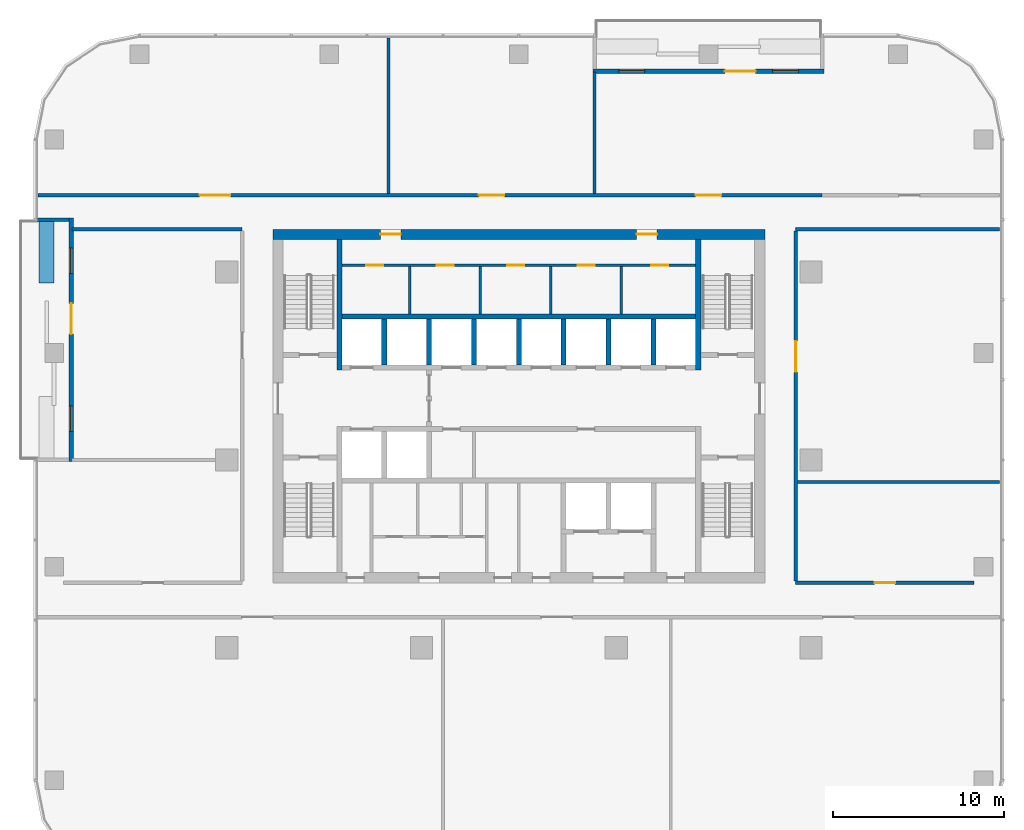
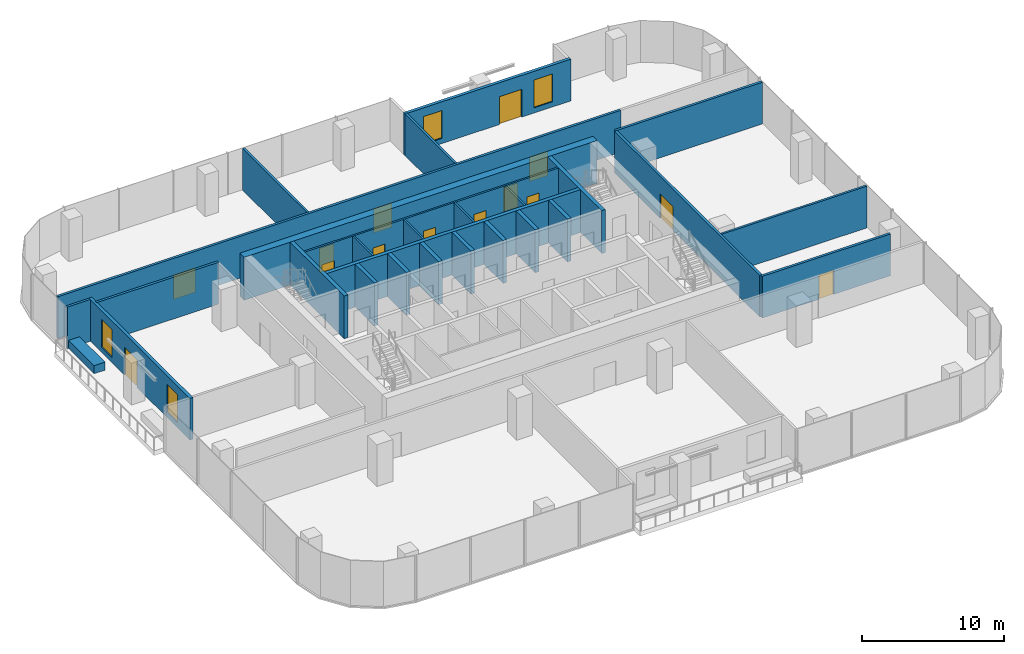
# One storey, part 9 of 14: 28 walls, 14 doors, 4 windows, 18 openings.
"""IFC4 building model written with IfcOpenShell, lengths in metres."""

import ifcopenshell
import ifcopenshell.guid

model = None  # the IFC model being written
_history = None  # IfcOwnerHistory: only IFC2X3 demands one
_inside = {}  # id of a spatial element -> (the spatial element, [elements in it])
_under = {}  # id of a project, library or spatial element -> (it, [spatial elements below it])
_declared = {}  # id of a project -> (the project, [libraries it declares])
_typed = {}  # id of a type object -> (the type object, [elements of that type])
_made_of = {}  # id of a material, layer set ... -> (it, [elements and type objects made of it])


def new_model(schema):
    """Start an empty IFC model of exactly this schema.

    Asked for "IFC4X3", IfcOpenShell would pick the latest addendum, in which some entities
    have other attributes; the version numbers below select the first issue.
    IFC2X3 requires an IfcOwnerHistory on every rooted entity: one is made here for all.
    """
    global model, _history
    if schema == "IFC4X3":
        model = ifcopenshell.file(schema_version=(4, 3, 0, 0))
    else:
        model = ifcopenshell.file(schema=schema)
    _inside.clear()
    _under.clear()
    _declared.clear()
    _typed.clear()
    _made_of.clear()
    _history = None
    if model.schema == "IFC2X3":
        org = make("IfcOrganization", Name="unknown")
        user = make(
            "IfcPersonAndOrganization",
            ThePerson=make("IfcPerson", FamilyName="unknown"),
            TheOrganization=org,
        )
        app = make(
            "IfcApplication",
            ApplicationDeveloper=org,
            Version="unknown",
            ApplicationFullName="unknown",
            ApplicationIdentifier="unknown",
        )
        _history = make(
            "IfcOwnerHistory",
            OwningUser=user,
            OwningApplication=app,
            ChangeAction="ADDED",
            CreationDate=0,
        )
    return model


def make(cls, **values):
    """One entity of the class cls with the attributes given. An attribute that is None is left unset."""
    return model.create_entity(
        cls, **{name: value for name, value in values.items() if value is not None}
    )


def rooted(cls, **values):
    """An entity with a GlobalId (a new one), such as an element, a storey or a relation."""
    return make(cls, GlobalId=ifcopenshell.guid.new(), OwnerHistory=_history, **values)


def si_unit(unit_type, name, prefix=None):
    """IfcSIUnit, for example si_unit("LENGTHUNIT", "METRE", prefix="MILLI")."""
    return make("IfcSIUnit", UnitType=unit_type, Prefix=prefix, Name=name)


def assignment(units):
    """IfcUnitAssignment: the units of a project."""
    return None if units is None else make("IfcUnitAssignment", Units=units)


def point(xyz):
    """IfcCartesianPoint."""
    return None if xyz is None else make("IfcCartesianPoint", Coordinates=xyz)


def direction(xyz):
    """IfcDirection."""
    return None if xyz is None else make("IfcDirection", DirectionRatios=xyz)


def frame(location, z_axis=None, x_axis=None):
    """IfcAxis2Placement3D, a coordinate frame: its origin and axes. An axis left out is left unset."""
    return make(
        "IfcAxis2Placement3D",
        Location=point(location),
        Axis=direction(z_axis),
        RefDirection=direction(x_axis),
    )


def frame_2d(location, x_axis=None):
    """IfcAxis2Placement2D, a coordinate frame in the plane: its origin and x axis."""
    return make(
        "IfcAxis2Placement2D", Location=point(location), RefDirection=direction(x_axis)
    )


def origin():
    """The frame at (0, 0, 0) with its axes left unset."""
    return frame((0.0, 0.0, 0.0))


def place(relative_to, where):
    """IfcLocalPlacement: puts the frame where relative to a parent placement (None: the world)."""
    return make(
        "IfcLocalPlacement", PlacementRelTo=relative_to, RelativePlacement=where
    )


def context(
    kind, dimensions, precision=None, world=None, true_north=None, identifier=None
):
    """IfcGeometricRepresentationContext, for example the 3D "Model" context."""
    return make(
        "IfcGeometricRepresentationContext",
        ContextIdentifier=identifier,
        ContextType=kind,
        CoordinateSpaceDimension=dimensions,
        Precision=precision,
        WorldCoordinateSystem=world,
        TrueNorth=true_north,
    )


def subcontext(parent, identifier, kind, view, scale=None):
    """IfcGeometricRepresentationSubContext, for example "Body" below "Model"."""
    return make(
        "IfcGeometricRepresentationSubContext",
        ContextIdentifier=identifier,
        ContextType=kind,
        ParentContext=parent,
        TargetScale=scale,
        TargetView=view,
    )


def project(units=None, contexts=None):
    """IfcProject with its units and contexts."""
    return rooted(
        "IfcProject",
        Name="project",
        RepresentationContexts=contexts,
        UnitsInContext=assignment(units),
    )


def spatial(cls, under=None, at=None, **own):
    """A site, building, storey or space (cls), placed at a placement, below another one or the project."""
    s = rooted(cls, ObjectPlacement=at, **own)
    if under is not None:
        _under.setdefault(under.id(), (under, []))[1].append(s)
    return s


def profile(cls, at=None, kind="AREA", **sizes):
    """A parametric profile (cls). Its sizes go by their IFC names, for example OverallWidth=200.0."""
    return make(cls, ProfileType=kind, Position=at, **sizes)


def rectangle(**sizes):
    """IfcRectangleProfileDef."""
    return profile("IfcRectangleProfileDef", **sizes)


def extrude(swept, where, along, depth):
    """IfcExtrudedAreaSolid: the profile swept, set in the frame where, extruded along a direction by depth."""
    return make(
        "IfcExtrudedAreaSolid",
        SweptArea=swept,
        Position=where,
        ExtrudedDirection=direction(along),
        Depth=depth,
    )


def shape(context_of_items, identifier, shape_type, items):
    """IfcShapeRepresentation: the items that make up one representation, for example the "Body"."""
    return make(
        "IfcShapeRepresentation",
        ContextOfItems=context_of_items,
        RepresentationIdentifier=identifier,
        RepresentationType=shape_type,
        Items=items,
    )


def material(Name=None, Category=None):
    """IfcMaterial."""
    return make("IfcMaterial", Name=Name, Category=Category)


def layer(
    of_material, thickness, ventilated=None, Name=None, Category=None, Priority=None
):
    """IfcMaterialLayer: one layer of a wall or slab, of a material (None: an air gap)."""
    return make(
        "IfcMaterialLayer",
        Material=of_material,
        LayerThickness=thickness,
        IsVentilated=ventilated,
        Name=Name,
        Category=Category,
        Priority=Priority,
    )


def layer_set(layers, Name=None):
    """IfcMaterialLayerSet."""
    return make("IfcMaterialLayerSet", MaterialLayers=layers, LayerSetName=Name)


def made_of(thing, what):
    """Note that an element or type object is made of a material, layer set ...; save() writes the relation."""
    if what is not None:
        _made_of.setdefault(what.id(), (what, []))[1].append(thing)
    return thing


def type_object(cls, material=None, **own):
    """A type object (cls), such as IfcWallType, which elements share."""
    return made_of(rooted(cls, **own), material)


def element(
    cls,
    number,
    at=None,
    inside=None,
    cuts=None,
    type_object=None,
    material=None,
    context=None,
    identifier="Body",
    shape_type=None,
    held_by="IfcProductDefinitionShape",
    body=None,
    shapes=None,
    **own,
):
    """One element of the class cls, such as IfcWall. Its Tag is "e" and its number.

    at: its placement. inside: the storey or other place that contains it. cuts: it is an
    opening in that element (IfcRelVoidsElement). A single representation is given by context,
    identifier, shape_type and body (its items); several are given by shapes. held_by: the class
    of the entity that holds the representations. save() writes the other relations.
    """
    e = rooted(cls, Tag="e%d" % number, ObjectPlacement=at, **own)
    if body is not None:
        shapes = [shape(context, identifier, shape_type, body)]
    if shapes is not None:
        e.Representation = make(held_by, Representations=shapes)
    if inside is not None:
        _inside.setdefault(inside.id(), (inside, []))[1].append(e)
    if cuts is not None:
        rooted(
            "IfcRelVoidsElement", RelatingBuildingElement=cuts, RelatedOpeningElement=e
        )
    if type_object is not None:
        _typed.setdefault(type_object.id(), (type_object, []))[1].append(e)
    return made_of(e, material)


def fill(opening, filler):
    """IfcRelFillsElement: the door or window that sits in an opening."""
    return rooted(
        "IfcRelFillsElement",
        RelatingOpeningElement=opening,
        RelatedBuildingElement=filler,
    )


def aggregate(whole, parts):
    """IfcRelAggregates: a whole, such as a stair, and the parts it consists of."""
    return rooted("IfcRelAggregates", RelatingObject=whole, RelatedObjects=parts)


def save(model, path):
    """Write the relations noted so far, then the file.

    IfcRelAggregates (storeys below a building ...), IfcRelContainedInSpatialStructure (elements
    in a storey), IfcRelDefinesByType, IfcRelAssociatesMaterial and IfcRelDeclares: one each for
    every whole, place, type object, material and project.
    """
    for whole, parts in _under.values():
        aggregate(whole, parts)
    for where, things in _inside.values():
        rooted(
            "IfcRelContainedInSpatialStructure",
            RelatedElements=things,
            RelatingStructure=where,
        )
    for kind, things in _typed.values():
        rooted("IfcRelDefinesByType", RelatedObjects=things, RelatingType=kind)
    for what, things in _made_of.values():
        rooted("IfcRelAssociatesMaterial", RelatedObjects=things, RelatingMaterial=what)
    for by, libraries in _declared.values():
        rooted("IfcRelDeclares", RelatingContext=by, RelatedDefinitions=libraries)
    model.write(path)


model = new_model("IFC4")

# Units and contexts
model_context = context("Model", 3, precision=1e-05, world=origin(), true_north=direction((0.0, 1.0)))
body_context = subcontext(model_context, "Body", "Model", "MODEL_VIEW")
ifc_project = project(units=[si_unit("LENGTHUNIT", "METRE"), si_unit("AREAUNIT", "SQUARE_METRE"), si_unit("VOLUMEUNIT", "CUBIC_METRE"), si_unit("PLANEANGLEUNIT", "RADIAN"), si_unit("MASSUNIT", "GRAM", prefix="KILO")], contexts=[model_context])

# Site, building, storey
site_placement = place(None, origin())
site = spatial("IfcSite", under=ifc_project, at=site_placement, CompositionType="ELEMENT")
building_placement = place(site_placement, origin())
building = spatial("IfcBuilding", under=site, at=building_placement, Name="Mopane Tessera Tower", CompositionType="ELEMENT")
storey_placement = place(building_placement, frame((0.0, 0.0, 239.0)))
storey = spatial("IfcBuildingStorey", under=building, at=storey_placement, Name="L51", CompositionType="ELEMENT", Elevation=239.0)

# Walls
ifc_material_1 = material(Name="Fire-rated gypsum board partition")
ifc_layer_1 = layer(ifc_material_1, 0.14990234375)
ifc_layer_set_1 = layer_set([ifc_layer_1], Name="Fire-rated gypsum board partition")
wall_type_1 = type_object("IfcWallType", Name="Core room partition 150 mm", PredefinedType="PARTITIONING", material=ifc_layer_set_1)
for number, where, z_axis, x_axis, name in (
    (1, (-6.375, 8.550048828125, 0.0), (0.0, 0.0, 1.0), (0.0, 1.0, 0.0), "L51 Room partition"),
    (2, (-2.25, 8.550048828125, 0.0), (0.0, 0.0, 1.0), (0.0, 1.0, 0.0), "L51 Room partition"),
    (3, (1.875, 8.550048828125, 0.0), (0.0, 0.0, 1.0), (0.0, 1.0, 0.0), "L51 Room partition"),
    (4, (6.0, 8.550048828125, 0.0), (0.0, 0.0, 1.0), (0.0, 1.0, 0.0), "L51 Room partition"),
):
    element("IfcWall", number, at=place(storey_placement, frame(where, z_axis=z_axis, x_axis=x_axis)), inside=storey, type_object=wall_type_1, Name=name, PredefinedType="PARTITIONING", context=body_context, shape_type="SweptSolid", body=[
        extrude(rectangle(XDim=2.77490234375, YDim=0.14990234375, at=frame_2d((1.387451171875, 0.0))), origin(), (0.0, 0.0, 1.0), 3.699951171875),
    ])

# Wall, openings, doors
wall_1_placement = place(storey_placement, frame((-10.35009765625, 11.39990234375, 0.0), z_axis=(0.0, 0.0, 1.0), x_axis=(1.0, 0.0, 0.0)))
wall_1 = element("IfcWall", 5, at=wall_1_placement, inside=storey, type_object=wall_type_1, Name="L51 Corridor wall", PredefinedType="PARTITIONING", context=body_context, shape_type="SweptSolid", body=[
    extrude(rectangle(XDim=20.7001953125, YDim=0.14990234375, at=frame_2d((10.35009765625, 0.0))), origin(), (0.0, 0.0, 1.0), 3.699951171875),
])
opening_1_placement = place(wall_1_placement, frame((1.41259765625, 0.0, 0.0)))
opening_1 = element("IfcOpeningElement", 6, at=opening_1_placement, cuts=wall_1, Name="Opening RD1", PredefinedType="OPENING", context=body_context, shape_type="SweptSolid", body=[
    extrude(rectangle(XDim=1.0, YDim=2.10009765625, at=frame_2d((0.5, 1.050048828125))), frame((0.0, 0.0869140625, 0.0), z_axis=(0.0, -1.0, 0.0), x_axis=(1.0, 0.0, 0.0)), (0.0, 0.0, 1.0), 0.173828125),
])
opening_2_placement = place(wall_1_placement, frame((5.53759765625, 0.0, 0.0)))
opening_2 = element("IfcOpeningElement", 7, at=opening_2_placement, cuts=wall_1, Name="Opening RD1", PredefinedType="OPENING", context=body_context, shape_type="SweptSolid", body=[
    extrude(rectangle(XDim=1.0, YDim=2.10009765625, at=frame_2d((0.5, 1.050048828125))), frame((0.0, 0.0869140625, 0.0), z_axis=(0.0, -1.0, 0.0), x_axis=(1.0, 0.0, 0.0)), (0.0, 0.0, 1.0), 0.173828125),
])
opening_3_placement = place(wall_1_placement, frame((9.66259765625, 0.0, 0.0)))
opening_3 = element("IfcOpeningElement", 8, at=opening_3_placement, cuts=wall_1, Name="Opening RD1", PredefinedType="OPENING", context=body_context, shape_type="SweptSolid", body=[
    extrude(rectangle(XDim=1.0, YDim=2.10009765625, at=frame_2d((0.5, 1.050048828125))), frame((0.0, 0.0869140625, 0.0), z_axis=(0.0, -1.0, 0.0), x_axis=(1.0, 0.0, 0.0)), (0.0, 0.0, 1.0), 0.173828125),
])
opening_4_placement = place(wall_1_placement, frame((13.78759765625, 0.0, 0.0)))
opening_4 = element("IfcOpeningElement", 9, at=opening_4_placement, cuts=wall_1, Name="Opening RD1", PredefinedType="OPENING", context=body_context, shape_type="SweptSolid", body=[
    extrude(rectangle(XDim=1.0, YDim=2.10009765625, at=frame_2d((0.5, 1.050048828125))), frame((0.0, 0.0869140625, 0.0), z_axis=(0.0, -1.0, 0.0), x_axis=(1.0, 0.0, 0.0)), (0.0, 0.0, 1.0), 0.173828125),
])
opening_5_placement = place(wall_1_placement, frame((18.10009765625, 0.0, 0.0)))
opening_5 = element("IfcOpeningElement", 10, at=opening_5_placement, cuts=wall_1, Name="Opening RD1", PredefinedType="OPENING", context=body_context, shape_type="SweptSolid", body=[
    extrude(rectangle(XDim=1.0, YDim=2.10009765625, at=frame_2d((0.5, 1.050048828125))), frame((0.0, 0.0869140625, 0.0), z_axis=(0.0, -1.0, 0.0), x_axis=(1.0, 0.0, 0.0)), (0.0, 0.0, 1.0), 0.173828125),
])
ifc_material_2 = material(Name="Timber door", Category="wood")
door_type_1 = type_object("IfcDoorType", Name="Core room door 1000 x 2100", OperationType="SINGLE_SWING_LEFT", PredefinedType="DOOR", material=ifc_material_2)
door_1_placement = place(opening_1_placement, origin())
door_1 = element("IfcDoor", 11, at=door_1_placement, inside=storey, type_object=door_type_1, Name="L51 Room door", OperationType="SINGLE_SWING_LEFT", OverallHeight=2.10009765625, OverallWidth=1.0, PredefinedType="DOOR", context=body_context, shape_type="SweptSolid", body=[
    extrude(rectangle(XDim=1.0, YDim=2.10009765625, at=frame_2d((0.5, 1.050048828125))), frame((0.0, 0.02490234375, 0.0), z_axis=(0.0, -1.0, 0.0), x_axis=(1.0, 0.0, 0.0)), (0.0, 0.0, 1.0), 0.050048828125),
])
fill(opening_1, door_1)
door_2_placement = place(opening_2_placement, origin())
door_2 = element("IfcDoor", 12, at=door_2_placement, inside=storey, type_object=door_type_1, Name="L51 Room door", OperationType="SINGLE_SWING_LEFT", OverallHeight=2.10009765625, OverallWidth=1.0, PredefinedType="DOOR", context=body_context, shape_type="SweptSolid", body=[
    extrude(rectangle(XDim=1.0, YDim=2.10009765625, at=frame_2d((0.5, 1.050048828125))), frame((0.0, 0.02490234375, 0.0), z_axis=(0.0, -1.0, 0.0), x_axis=(1.0, 0.0, 0.0)), (0.0, 0.0, 1.0), 0.050048828125),
])
fill(opening_2, door_2)
door_3_placement = place(opening_3_placement, origin())
door_3 = element("IfcDoor", 13, at=door_3_placement, inside=storey, type_object=door_type_1, Name="L51 Room door", OperationType="SINGLE_SWING_LEFT", OverallHeight=2.10009765625, OverallWidth=1.0, PredefinedType="DOOR", context=body_context, shape_type="SweptSolid", body=[
    extrude(rectangle(XDim=1.0, YDim=2.10009765625, at=frame_2d((0.5, 1.050048828125))), frame((0.0, 0.02490234375, 0.0), z_axis=(0.0, -1.0, 0.0), x_axis=(1.0, 0.0, 0.0)), (0.0, 0.0, 1.0), 0.050048828125),
])
fill(opening_3, door_3)
door_4_placement = place(opening_4_placement, origin())
door_4 = element("IfcDoor", 14, at=door_4_placement, inside=storey, type_object=door_type_1, Name="L51 Room door", OperationType="SINGLE_SWING_LEFT", OverallHeight=2.10009765625, OverallWidth=1.0, PredefinedType="DOOR", context=body_context, shape_type="SweptSolid", body=[
    extrude(rectangle(XDim=1.0, YDim=2.10009765625, at=frame_2d((0.5, 1.050048828125))), frame((0.0, 0.02490234375, 0.0), z_axis=(0.0, -1.0, 0.0), x_axis=(1.0, 0.0, 0.0)), (0.0, 0.0, 1.0), 0.050048828125),
])
fill(opening_4, door_4)
door_5_placement = place(opening_5_placement, origin())
door_5 = element("IfcDoor", 15, at=door_5_placement, inside=storey, type_object=door_type_1, Name="L51 Room door", OperationType="SINGLE_SWING_LEFT", OverallHeight=2.10009765625, OverallWidth=1.0, PredefinedType="DOOR", context=body_context, shape_type="SweptSolid", body=[
    extrude(rectangle(XDim=1.0, YDim=2.10009765625, at=frame_2d((0.5, 1.050048828125))), frame((0.0, 0.02490234375, 0.0), z_axis=(0.0, -1.0, 0.0), x_axis=(1.0, 0.0, 0.0)), (0.0, 0.0, 1.0), 0.050048828125),
])
fill(opening_5, door_5)

ifc_material_3 = material(Name="Concrete C70/85", Category="concrete")
ifc_layer_2 = layer(ifc_material_3, 0.60009765625)
ifc_layer_set_2 = layer_set([ifc_layer_2], Name="Concrete C70/85")
wall_type_2 = type_object("IfcWallType", Name="Core shear wall 600 mm", PredefinedType="SHEAR", material=ifc_layer_set_2)
wall_2_placement = place(storey_placement, frame((-14.39990234375, 13.199951171875, 0.0), z_axis=(0.0, 0.0, 1.0), x_axis=(1.0, 0.0, 0.0)))
wall_2 = element("IfcWall", 16, at=wall_2_placement, inside=storey, type_object=wall_type_2, Name="L51 Core wall north", PredefinedType="SHEAR", context=body_context, shape_type="SweptSolid", body=[
    extrude(rectangle(XDim=28.7998046875, YDim=0.60009765625, at=frame_2d((14.39990234375, 0.0))), origin(), (0.0, 0.0, 1.0), 3.699951171875),
])
opening_6_placement = place(wall_2_placement, frame((6.300048828125, 0.0, 0.0)))
opening_6 = element("IfcOpeningElement", 17, at=opening_6_placement, cuts=wall_2, Name="Opening RD2", PredefinedType="OPENING", context=body_context, shape_type="SweptSolid", body=[
    extrude(rectangle(XDim=1.199951171875, YDim=2.10009765625, at=frame_2d((0.60009765625, 1.050048828125))), frame((0.0, 0.31201171875, 0.0), z_axis=(0.0, -1.0, 0.0), x_axis=(1.0, 0.0, 0.0)), (0.0, 0.0, 1.0), 0.6240234375),
])
opening_7_placement = place(wall_2_placement, frame((21.300048828125, 0.0, 0.0)))
opening_7 = element("IfcOpeningElement", 18, at=opening_7_placement, cuts=wall_2, Name="Opening RD2", PredefinedType="OPENING", context=body_context, shape_type="SweptSolid", body=[
    extrude(rectangle(XDim=1.199951171875, YDim=2.10009765625, at=frame_2d((0.60009765625, 1.050048828125))), frame((0.0, 0.31201171875, 0.0), z_axis=(0.0, -1.0, 0.0), x_axis=(1.0, 0.0, 0.0)), (0.0, 0.0, 1.0), 0.6240234375),
])
ifc_material_4 = material(Name="Timber door", Category="wood")
door_type_2 = type_object("IfcDoorType", Name="Core corridor door 1200 x 2100", OperationType="SINGLE_SWING_LEFT", PredefinedType="DOOR", material=ifc_material_4)
door_6_placement = place(opening_6_placement, origin())
door_6 = element("IfcDoor", 19, at=door_6_placement, inside=storey, type_object=door_type_2, Name="L51 Corridor door", OperationType="SINGLE_SWING_LEFT", OverallHeight=2.10009765625, OverallWidth=1.199951171875, PredefinedType="DOOR", context=body_context, shape_type="SweptSolid", body=[
    extrude(rectangle(XDim=1.199951171875, YDim=2.10009765625, at=frame_2d((0.60009765625, 1.050048828125))), frame((0.0, 0.02490234375, 0.0), z_axis=(0.0, -1.0, 0.0), x_axis=(1.0, 0.0, 0.0)), (0.0, 0.0, 1.0), 0.050048828125),
])
fill(opening_6, door_6)
door_7_placement = place(opening_7_placement, origin())
door_7 = element("IfcDoor", 20, at=door_7_placement, inside=storey, type_object=door_type_2, Name="L51 Corridor door", OperationType="SINGLE_SWING_RIGHT", OverallHeight=2.10009765625, OverallWidth=1.199951171875, PredefinedType="DOOR", context=body_context, shape_type="SweptSolid", body=[
    extrude(rectangle(XDim=1.199951171875, YDim=2.10009765625, at=frame_2d((0.60009765625, 1.050048828125))), frame((0.0, 0.02490234375, 0.0), z_axis=(0.0, -1.0, 0.0), x_axis=(1.0, 0.0, 0.0)), (0.0, 0.0, 1.0), 0.050048828125),
])
fill(opening_7, door_7)

# Walls
ifc_material_5 = material(Name="Concrete C60/75", Category="concrete")
ifc_layer_3 = layer(ifc_material_5, 0.300048828125)
ifc_layer_set_3 = layer_set([ifc_layer_3], Name="Concrete C60/75")
wall_type_3 = type_object("IfcWallType", Name="Core spine wall 300 mm", PredefinedType="SHEAR", material=ifc_layer_set_3)
for number, where, z_axis, x_axis, name in (
    (21, (-10.5, 5.25, 0.0), (0.0, 0.0, 1.0), (0.0, 1.0, 0.0), "L51 Core spine wall"),
    (22, (10.5, 5.25, 0.0), (0.0, 0.0, 1.0), (0.0, 1.0, 0.0), "L51 Core spine wall"),
):
    element("IfcWall", number, at=place(storey_placement, frame(where, z_axis=z_axis, x_axis=x_axis)), inside=storey, type_object=wall_type_3, Name=name, PredefinedType="SHEAR", context=body_context, shape_type="SweptSolid", body=[
        extrude(rectangle(XDim=7.64990234375, YDim=0.300048828125, at=frame_2d((3.824951171875, 0.0))), origin(), (0.0, 0.0, 1.0), 3.699951171875),
    ])
ifc_material_6 = material(Name="Gypsum board on staggered steel studs, double layer each face, acoustic mineral wool infill", Category="steel")
ifc_layer_4 = layer(ifc_material_6, 0.175048828125)
ifc_layer_set_4 = layer_set([ifc_layer_4], Name="Gypsum board on staggered steel studs, double layer each face, acoustic mineral wool infill")
wall_type_4 = type_object("IfcWallType", Name="Gypsum board acoustic partition 175, rated EI 60", PredefinedType="PARTITIONING", material=ifc_layer_set_4)
wall_3_placement = place(storey_placement, frame((16.300048828125, -1.284912109375, 0.0), z_axis=(0.0, 0.0, 1.0), x_axis=(1.0, 0.0, 0.0)))
element("IfcWall", 23, at=wall_3_placement, inside=storey, type_object=wall_type_4, Name="Partition L51:003", PredefinedType="PARTITIONING", context=body_context, shape_type="SweptSolid", body=[
    extrude(rectangle(XDim=11.849853515625, YDim=0.175048828125, at=frame_2d((5.9248046875, 0.0))), origin(), (0.0, 0.0, 1.0), 3.60009765625),
])
wall_4_placement = place(storey_placement, frame((-7.625, 15.60009765625, 0.0), z_axis=(0.0, 0.0, 1.0), x_axis=(0.0, 1.0, 0.0)))
element("IfcWall", 24, at=wall_4_placement, inside=storey, type_object=wall_type_4, Name="Partition L51:010", PredefinedType="PARTITIONING", context=body_context, shape_type="SweptSolid", body=[
    extrude(rectangle(XDim=9.099853515625, YDim=0.175048828125, at=frame_2d((4.5498046875, 0.0))), origin(), (0.0, 0.0, 1.0), 3.60009765625),
])
wall_5_placement = place(storey_placement, frame((4.43994140625, 15.60009765625, 0.0), z_axis=(0.0, 0.0, 1.0), x_axis=(0.0, 1.0, 0.0)))
element("IfcWall", 25, at=wall_5_placement, inside=storey, type_object=wall_type_4, Name="Partition L51:012", PredefinedType="PARTITIONING", context=body_context, shape_type="SweptSolid", body=[
    extrude(rectangle(XDim=7.099853515625, YDim=0.175048828125, at=frame_2d((3.5498046875, 0.0))), origin(), (0.0, 0.0, 1.0), 3.60009765625),
])

# Wall, opening, door
ifc_material_7 = material(Name="Gypsum board on steel studs, two layers each face, mineral wool infill", Category="steel")
ifc_layer_5 = layer(ifc_material_7, 0.199951171875)
ifc_layer_set_5 = layer_set([ifc_layer_5], Name="Gypsum board on steel studs, two layers each face, mineral wool infill")
wall_type_5 = type_object("IfcWallType", Name="Gypsum board corridor wall 200, rated EI 60", PredefinedType="PARTITIONING", material=ifc_layer_set_5)
wall_6_placement = place(storey_placement, frame((16.199951171875, -7.199951171875, 0.0), z_axis=(0.0, 0.0, 1.0), x_axis=(1.0, 0.0, 0.0)))
wall_6 = element("IfcWall", 26, at=wall_6_placement, inside=storey, type_object=wall_type_5, Name="Partition L51:002", PredefinedType="PARTITIONING", context=body_context, shape_type="SweptSolid", body=[
    extrude(rectangle(XDim=10.449951171875, YDim=0.199951171875, at=frame_2d((5.22509765625, 0.0))), origin(), (0.0, 0.0, 1.0), 3.60009765625),
])
opening_8_placement = place(wall_6_placement, frame((4.625, 0.0, 0.0)))
opening_8 = element("IfcOpeningElement", 27, at=opening_8_placement, cuts=wall_6, Name="Opening L51-07", PredefinedType="OPENING", context=body_context, shape_type="SweptSolid", body=[
    extrude(rectangle(XDim=1.199951171875, YDim=2.10009765625, at=frame_2d((0.60009765625, 1.050048828125))), frame((0.0, 0.112060546875, 0.0), z_axis=(0.0, -1.0, 0.0), x_axis=(1.0, 0.0, 0.0)), (0.0, 0.0, 1.0), 0.223876953125),
])
ifc_material_8 = material(Name="Timber veneered steel-framed fire door", Category="steel")
door_type_3 = type_object("IfcDoorType", Name="Fire door FD60 1200 x 2100", OperationType="SINGLE_SWING_LEFT", PredefinedType="DOOR", material=ifc_material_8)
door_8_placement = place(opening_8_placement, origin())
door_8 = element("IfcDoor", 28, at=door_8_placement, inside=storey, type_object=door_type_3, Name="Door L51-07", ObjectType="D15A", OperationType="SINGLE_SWING_RIGHT", OverallHeight=2.10009765625, OverallWidth=1.199951171875, PredefinedType="DOOR", context=body_context, shape_type="SweptSolid", body=[
    extrude(rectangle(XDim=1.199951171875, YDim=2.10009765625, at=frame_2d((0.60009765625, 1.050048828125))), frame((0.0, 0.02490234375, 0.0), z_axis=(0.0, -1.0, 0.0), x_axis=(1.0, 0.0, 0.0)), (0.0, 0.0, 1.0), 0.050048828125),
])
fill(opening_8, door_8)

# Walls
wall_7_placement = place(storey_placement, frame((-26.14990234375, 13.5, 0.0), z_axis=(0.0, 0.0, 1.0), x_axis=(1.0, 0.0, 0.0)))
element("IfcWall", 29, at=wall_7_placement, inside=storey, type_object=wall_type_5, Name="Partition L51:005", PredefinedType="PARTITIONING", context=body_context, shape_type="SweptSolid", body=[
    extrude(rectangle(XDim=9.949951171875, YDim=0.199951171875, at=frame_2d((4.97509765625, 0.0))), origin(), (0.0, 0.0, 1.0), 3.60009765625),
])
wall_8_placement = place(storey_placement, frame((16.199951171875, 13.5, 0.0), z_axis=(0.0, 0.0, 1.0), x_axis=(1.0, 0.0, 0.0)))
element("IfcWall", 30, at=wall_8_placement, inside=storey, type_object=wall_type_5, Name="Partition L51:006", PredefinedType="PARTITIONING", context=body_context, shape_type="SweptSolid", body=[
    extrude(rectangle(XDim=11.949951171875, YDim=0.199951171875, at=frame_2d((5.97509765625, 0.0))), origin(), (0.0, 0.0, 1.0), 3.60009765625),
])

# Wall, openings, doors
wall_9_placement = place(storey_placement, frame((-28.14990234375, 15.5, 0.0), z_axis=(0.0, 0.0, 1.0), x_axis=(1.0, 0.0, 0.0)))
wall_9 = element("IfcWall", 31, at=wall_9_placement, inside=storey, type_object=wall_type_5, Name="Partition L51:007", PredefinedType="PARTITIONING", context=body_context, shape_type="SweptSolid", body=[
    extrude(rectangle(XDim=45.909912109375, YDim=0.199951171875, at=frame_2d((22.955078125, 0.0))), origin(), (0.0, 0.0, 1.0), 3.60009765625),
])
opening_9_placement = place(wall_9_placement, frame((38.5, 0.0, 0.0)))
opening_9 = element("IfcOpeningElement", 32, at=opening_9_placement, cuts=wall_9, Name="Opening L51-03", PredefinedType="OPENING", context=body_context, shape_type="SweptSolid", body=[
    extrude(rectangle(XDim=1.5, YDim=2.10009765625, at=frame_2d((0.75, 1.050048828125))), frame((0.0, 0.112060546875, 0.0), z_axis=(0.0, -1.0, 0.0), x_axis=(1.0, 0.0, 0.0)), (0.0, 0.0, 1.0), 0.223876953125),
])
opening_10_placement = place(wall_9_placement, frame((9.46240234375, 0.0, 0.0)))
opening_10 = element("IfcOpeningElement", 33, at=opening_10_placement, cuts=wall_9, Name="Opening L51-05", PredefinedType="OPENING", context=body_context, shape_type="SweptSolid", body=[
    extrude(rectangle(XDim=1.800048828125, YDim=2.10009765625, at=frame_2d((0.89990234375, 1.050048828125))), frame((0.0, 0.112060546875, 0.0), z_axis=(0.0, -1.0, 0.0), x_axis=(1.0, 0.0, 0.0)), (0.0, 0.0, 1.0), 0.223876953125),
])
opening_11_placement = place(wall_9_placement, frame((25.8076171875, 0.0, 0.0)))
opening_11 = element("IfcOpeningElement", 34, at=opening_11_placement, cuts=wall_9, Name="Opening L51-10", PredefinedType="OPENING", context=body_context, shape_type="SweptSolid", body=[
    extrude(rectangle(XDim=1.5, YDim=2.10009765625, at=frame_2d((0.75, 1.050048828125))), frame((0.0, 0.112060546875, 0.0), z_axis=(0.0, -1.0, 0.0), x_axis=(1.0, 0.0, 0.0)), (0.0, 0.0, 1.0), 0.223876953125),
])
ifc_material_9 = material(Name="Timber veneered steel-framed fire door", Category="steel")
door_type_4 = type_object("IfcDoorType", Name="Fire door pair FD60 1500 x 2100", OperationType="DOUBLE_DOOR_SINGLE_SWING", PredefinedType="DOOR", material=ifc_material_9)
door_9_placement = place(opening_9_placement, origin())
door_9 = element("IfcDoor", 35, at=door_9_placement, inside=storey, type_object=door_type_4, Name="Door L51-03", ObjectType="D17A", OperationType="DOUBLE_DOOR_SINGLE_SWING", OverallHeight=2.10009765625, OverallWidth=1.5, PredefinedType="DOOR", context=body_context, shape_type="SweptSolid", body=[
    extrude(rectangle(XDim=1.5, YDim=2.10009765625, at=frame_2d((0.75, 1.050048828125))), frame((0.0, 0.02490234375, 0.0), z_axis=(0.0, -1.0, 0.0), x_axis=(1.0, 0.0, 0.0)), (0.0, 0.0, 1.0), 0.050048828125),
])
fill(opening_9, door_9)
door_10_placement = place(opening_11_placement, origin())
door_10 = element("IfcDoor", 36, at=door_10_placement, inside=storey, type_object=door_type_4, Name="Door L51-10", ObjectType="D17A", OperationType="DOUBLE_DOOR_SINGLE_SWING", OverallHeight=2.10009765625, OverallWidth=1.5, PredefinedType="DOOR", context=body_context, shape_type="SweptSolid", body=[
    extrude(rectangle(XDim=1.5, YDim=2.10009765625, at=frame_2d((0.75, 1.050048828125))), frame((0.0, 0.02490234375, 0.0), z_axis=(0.0, -1.0, 0.0), x_axis=(1.0, 0.0, 0.0)), (0.0, 0.0, 1.0), 0.050048828125),
])
fill(opening_11, door_10)
ifc_material_10 = material(Name="Timber veneered steel-framed fire door", Category="steel")
door_type_5 = type_object("IfcDoorType", Name="Fire door pair FD60 1800 x 2100", OperationType="DOUBLE_DOOR_SINGLE_SWING", PredefinedType="DOOR", material=ifc_material_10)
door_11_placement = place(opening_10_placement, origin())
door_11 = element("IfcDoor", 37, at=door_11_placement, inside=storey, type_object=door_type_5, Name="Door L51-05", ObjectType="D20A", OperationType="DOUBLE_DOOR_SINGLE_SWING", OverallHeight=2.10009765625, OverallWidth=1.800048828125, PredefinedType="DOOR", context=body_context, shape_type="SweptSolid", body=[
    extrude(rectangle(XDim=1.800048828125, YDim=2.10009765625, at=frame_2d((0.89990234375, 1.050048828125))), frame((0.0, 0.02490234375, 0.0), z_axis=(0.0, -1.0, 0.0), x_axis=(1.0, 0.0, 0.0)), (0.0, 0.0, 1.0), 0.050048828125),
])
fill(opening_10, door_11)

# Wall, opening, door
wall_10_placement = place(storey_placement, frame((16.199951171875, -7.10009765625, 0.0), z_axis=(0.0, 0.0, 1.0), x_axis=(0.0, 1.0, 0.0)))
wall_10 = element("IfcWall", 38, at=wall_10_placement, inside=storey, type_object=wall_type_5, Name="Partition L51:014", PredefinedType="PARTITIONING", context=body_context, shape_type="SweptSolid", body=[
    extrude(rectangle(XDim=20.5, YDim=0.199951171875, at=frame_2d((10.25, 0.0))), origin(), (0.0, 0.0, 1.0), 3.60009765625),
])
opening_12_placement = place(wall_10_placement, frame((12.257568359375, 0.0, 0.0)))
opening_12 = element("IfcOpeningElement", 39, at=opening_12_placement, cuts=wall_10, Name="Opening L51-11", PredefinedType="OPENING", context=body_context, shape_type="SweptSolid", body=[
    extrude(rectangle(XDim=1.800048828125, YDim=2.10009765625, at=frame_2d((0.89990234375, 1.050048828125))), frame((0.0, 0.112060546875, 0.0), z_axis=(0.0, -1.0, 0.0), x_axis=(1.0, 0.0, 0.0)), (0.0, 0.0, 1.0), 0.223876953125),
])
door_12_placement = place(opening_12_placement, origin())
door_12 = element("IfcDoor", 40, at=door_12_placement, inside=storey, type_object=door_type_5, Name="Door L51-11", ObjectType="D20A", OperationType="DOUBLE_DOOR_SINGLE_SWING", OverallHeight=2.10009765625, OverallWidth=1.800048828125, PredefinedType="DOOR", context=body_context, shape_type="SweptSolid", body=[
    extrude(rectangle(XDim=1.800048828125, YDim=2.10009765625, at=frame_2d((0.89990234375, 1.050048828125))), frame((0.0, 0.02490234375, 0.0), z_axis=(0.0, -1.0, 0.0), x_axis=(1.0, 0.0, 0.0)), (0.0, 0.0, 1.0), 0.050048828125),
])
fill(opening_12, door_12)

# Walls
ifc_material_11 = material(Name="Concrete C50/60", Category="concrete")
ifc_layer_6 = layer(ifc_material_11, 0.300048828125)
ifc_layer_set_6 = layer_set([ifc_layer_6], Name="Concrete C50/60")
wall_type_6 = type_object("IfcWallType", Name="Lift and stair shaft wall 300 mm", PredefinedType="SOLIDWALL", material=ifc_layer_set_6)
wall_11_placement = place(storey_placement, frame((-10.35009765625, 8.39990234375, 0.0), z_axis=(0.0, 0.0, 1.0), x_axis=(1.0, 0.0, 0.0)))
element("IfcWall", 41, at=wall_11_placement, inside=storey, type_object=wall_type_6, Name="L51 Lift shaft rear wall", PredefinedType="SOLIDWALL", context=body_context, shape_type="SweptSolid", body=[
    extrude(rectangle(XDim=20.7001953125, YDim=0.300048828125, at=frame_2d((10.35009765625, 0.0))), origin(), (0.0, 0.0, 1.0), 3.699951171875),
])
for number, where, z_axis, x_axis, name in (
    (42, (-7.875, 5.550048828125, 0.0), (0.0, 0.0, 1.0), (0.0, 1.0, 0.0), "L51 Lift shaft wall"),
    (43, (-5.25, 5.550048828125, 0.0), (0.0, 0.0, 1.0), (0.0, 1.0, 0.0), "L51 Lift shaft wall"),
    (44, (-2.625, 5.550048828125, 0.0), (0.0, 0.0, 1.0), (0.0, 1.0, 0.0), "L51 Lift shaft wall"),
    (45, (0.0, 5.550048828125, 0.0), (0.0, 0.0, 1.0), (0.0, 1.0, 0.0), "L51 Lift shaft wall"),
    (46, (2.625, 5.550048828125, 0.0), (0.0, 0.0, 1.0), (0.0, 1.0, 0.0), "L51 Lift shaft wall"),
    (47, (5.25, 5.550048828125, 0.0), (0.0, 0.0, 1.0), (0.0, 1.0, 0.0), "L51 Lift shaft wall"),
    (48, (7.875, 5.550048828125, 0.0), (0.0, 0.0, 1.0), (0.0, 1.0, 0.0), "L51 Lift shaft wall"),
):
    element("IfcWall", number, at=place(storey_placement, frame(where, z_axis=z_axis, x_axis=x_axis)), inside=storey, type_object=wall_type_6, Name=name, PredefinedType="SOLIDWALL", context=body_context, shape_type="SweptSolid", body=[
        extrude(rectangle(XDim=2.699951171875, YDim=0.300048828125, at=frame_2d((1.35009765625, 0.0))), origin(), (0.0, 0.0, 1.0), 3.699951171875),
    ])
ifc_material_12 = material(Name="Reinforced concrete C32/40 with waterproofing", Category="concrete")
ifc_layer_7 = layer(ifc_material_12, 0.89990234375)
ifc_layer_set_7 = layer_set([ifc_layer_7], Name="Reinforced concrete C32/40 with waterproofing")
wall_type_7 = type_object("IfcWallType", Name="Planter trough 3600 x 900", PredefinedType="STANDARD", material=ifc_layer_set_7)
wall_12_placement = place(storey_placement, frame((-27.64990234375, 13.96240234375, 0.0), z_axis=(0.0, 0.0, 1.0), x_axis=(0.0, -1.0, 0.0)))
element("IfcWall", 49, at=wall_12_placement, inside=storey, type_object=wall_type_7, Name="e:nw:L51:N3:pl0", PredefinedType="STANDARD", context=body_context, shape_type="SweptSolid", body=[
    extrude(rectangle(XDim=3.599853515625, YDim=0.89990234375, at=frame_2d((1.7998046875, 0.0))), origin(), (0.0, 0.0, 1.0), 0.699951171875),
])
ifc_material_13 = material(Name="Blockwork with glazed tile facing", Category="masonry")
ifc_layer_8 = layer(ifc_material_13, 0.199951171875)
ifc_layer_set_8 = layer_set([ifc_layer_8], Name="Blockwork with glazed tile facing")
wall_type_8 = type_object("IfcWallType", Name="Terrace cheek wall 200", PredefinedType="STANDARD", material=ifc_layer_set_8)
wall_13_placement = place(storey_placement, frame((-28.199951171875, 14.0625, 0.0), z_axis=(0.0, 0.0, 1.0), x_axis=(1.0, 0.0, 0.0)))
element("IfcWall", 50, at=wall_13_placement, inside=storey, type_object=wall_type_8, Name="e:nw:L51:N3:cheeka", PredefinedType="STANDARD", context=body_context, shape_type="SweptSolid", body=[
    extrude(rectangle(XDim=1.875, YDim=0.199951171875, at=frame_2d((0.9375, 0.0))), origin(), (0.0, 0.0, 1.0), 3.60009765625),
])

# Wall, openings, windows, door
ifc_material_14 = material(Name="Blockwork with ochre glazed tile facing", Category="masonry")
ifc_layer_9 = layer(ifc_material_14, 0.25)
ifc_layer_set_9 = layer_set([ifc_layer_9], Name="Blockwork with ochre glazed tile facing")
wall_type_9 = type_object("IfcWallType", Name="Tile-clad external wall 250, ochre", PredefinedType="STANDARD", material=ifc_layer_set_9)
wall_14_placement = place(storey_placement, frame((17.860107421875, 22.75, 0.0), z_axis=(0.0, 0.0, 1.0), x_axis=(-1.0, 0.0, 0.0)))
wall_14 = element("IfcWall", 51, at=wall_14_placement, inside=storey, type_object=wall_type_9, Name="e:nw:L51:N2:back", PredefinedType="STANDARD", context=body_context, shape_type="SweptSolid", body=[
    extrude(rectangle(XDim=13.52001953125, YDim=0.25, at=frame_2d((6.760009765625, 0.0))), origin(), (0.0, 0.0, 1.0), 3.60009765625),
])
opening_13_placement = place(wall_14_placement, frame((1.5, 0.0, 0.449951171875)))
opening_13 = element("IfcOpeningElement", 52, at=opening_13_placement, cuts=wall_14, Name="Opening NW512A", PredefinedType="OPENING", context=body_context, shape_type="SweptSolid", body=[
    extrude(rectangle(XDim=1.5, YDim=2.39990234375, at=frame_2d((0.75, 1.199951171875))), frame((0.0, 0.136962890625, 0.0), z_axis=(0.0, -1.0, 0.0), x_axis=(1.0, 0.0, 0.0)), (0.0, 0.0, 1.0), 0.27392578125),
])
opening_14_placement = place(wall_14_placement, frame((4.0, 0.0, 0.0)))
opening_14 = element("IfcOpeningElement", 53, at=opening_14_placement, cuts=wall_14, Name="Opening ND512", PredefinedType="OPENING", context=body_context, shape_type="SweptSolid", body=[
    extrude(rectangle(XDim=1.800048828125, YDim=2.39990234375, at=frame_2d((0.89990234375, 1.199951171875))), frame((0.0, 0.136962890625, 0.0), z_axis=(0.0, -1.0, 0.0), x_axis=(1.0, 0.0, 0.0)), (0.0, 0.0, 1.0), 0.27392578125),
])
opening_15_placement = place(wall_14_placement, frame((10.5, 0.0, 0.449951171875)))
opening_15 = element("IfcOpeningElement", 54, at=opening_15_placement, cuts=wall_14, Name="Opening NW512B", PredefinedType="OPENING", context=body_context, shape_type="SweptSolid", body=[
    extrude(rectangle(XDim=1.5, YDim=2.39990234375, at=frame_2d((0.75, 1.199951171875))), frame((0.0, 0.136962890625, 0.0), z_axis=(0.0, -1.0, 0.0), x_axis=(1.0, 0.0, 0.0)), (0.0, 0.0, 1.0), 0.27392578125),
])
ifc_material_15 = material(Name="Clear laminated glass", Category="glass")
window_type = type_object("IfcWindowType", Name="Fixed window 1500 x 2400", PartitioningType="SINGLE_PANEL", PredefinedType="WINDOW", material=ifc_material_15)
window_1_placement = place(opening_13_placement, origin())
window_1 = element("IfcWindow", 55, at=window_1_placement, inside=storey, type_object=window_type, Name="e:nw:L51:N2:win0", OverallHeight=2.39990234375, OverallWidth=1.5, PartitioningType="SINGLE_PANEL", PredefinedType="WINDOW", context=body_context, shape_type="SweptSolid", body=[
    extrude(rectangle(XDim=1.5, YDim=2.39990234375, at=frame_2d((0.75, 1.199951171875))), frame((0.0, 0.030029296875, 0.0), z_axis=(0.0, -1.0, 0.0), x_axis=(1.0, 0.0, 0.0)), (0.0, 0.0, 1.0), 0.06005859375),
])
fill(opening_13, window_1)
window_2_placement = place(opening_15_placement, origin())
window_2 = element("IfcWindow", 56, at=window_2_placement, inside=storey, type_object=window_type, Name="e:nw:L51:N2:win2", OverallHeight=2.39990234375, OverallWidth=1.5, PartitioningType="SINGLE_PANEL", PredefinedType="WINDOW", context=body_context, shape_type="SweptSolid", body=[
    extrude(rectangle(XDim=1.5, YDim=2.39990234375, at=frame_2d((0.75, 1.199951171875))), frame((0.0, 0.030029296875, 0.0), z_axis=(0.0, -1.0, 0.0), x_axis=(1.0, 0.0, 0.0)), (0.0, 0.0, 1.0), 0.06005859375),
])
fill(opening_15, window_2)
ifc_material_16 = material(Name="Aluminium and clear glass", Category="aluminium")
door_type_6 = type_object("IfcDoorType", Name="Terrace double door 1800 x 2400", OperationType="DOUBLE_DOOR_SINGLE_SWING", PredefinedType="DOOR", material=ifc_material_16)
door_13_placement = place(opening_14_placement, origin())
door_13 = element("IfcDoor", 57, at=door_13_placement, inside=storey, type_object=door_type_6, Name="e:nw:L51:N2:door", ObjectType="D1", OperationType="DOUBLE_DOOR_SINGLE_SWING", OverallHeight=2.39990234375, OverallWidth=1.800048828125, PredefinedType="DOOR", context=body_context, shape_type="SweptSolid", body=[
    extrude(rectangle(XDim=1.800048828125, YDim=2.39990234375, at=frame_2d((0.89990234375, 1.199951171875))), frame((0.0, 0.02490234375, 0.0), z_axis=(0.0, -1.0, 0.0), x_axis=(1.0, 0.0, 0.0)), (0.0, 0.0, 1.0), 0.050048828125),
])
fill(opening_14, door_13)

wall_15_placement = place(storey_placement, frame((-26.199951171875, 14.16259765625, 0.0), z_axis=(0.0, 0.0, 1.0), x_axis=(0.0, -1.0, 0.0)))
wall_15 = element("IfcWall", 58, at=wall_15_placement, inside=storey, type_object=wall_type_9, Name="e:nw:L51:N3:back", PredefinedType="STANDARD", context=body_context, shape_type="SweptSolid", body=[
    extrude(rectangle(XDim=14.2626953125, YDim=0.25, at=frame_2d((7.13134765625, 0.0))), origin(), (0.0, 0.0, 1.0), 3.60009765625),
])
opening_16_placement = place(wall_15_placement, frame((1.75, 0.0, 0.449951171875)))
opening_16 = element("IfcOpeningElement", 59, at=opening_16_placement, cuts=wall_15, Name="Opening NW513A", PredefinedType="OPENING", context=body_context, shape_type="SweptSolid", body=[
    extrude(rectangle(XDim=1.5, YDim=2.39990234375, at=frame_2d((0.75, 1.199951171875))), frame((0.0, 0.136962890625, 0.0), z_axis=(0.0, -1.0, 0.0), x_axis=(1.0, 0.0, 0.0)), (0.0, 0.0, 1.0), 0.27392578125),
])
opening_17_placement = place(wall_15_placement, frame((5.0, 0.0, 0.0)))
opening_17 = element("IfcOpeningElement", 60, at=opening_17_placement, cuts=wall_15, Name="Opening ND513", PredefinedType="OPENING", context=body_context, shape_type="SweptSolid", body=[
    extrude(rectangle(XDim=1.800048828125, YDim=2.39990234375, at=frame_2d((0.89990234375, 1.199951171875))), frame((0.0, 0.136962890625, 0.0), z_axis=(0.0, -1.0, 0.0), x_axis=(1.0, 0.0, 0.0)), (0.0, 0.0, 1.0), 0.27392578125),
])
opening_18_placement = place(wall_15_placement, frame((11.0, 0.0, 0.449951171875)))
opening_18 = element("IfcOpeningElement", 61, at=opening_18_placement, cuts=wall_15, Name="Opening NW513B", PredefinedType="OPENING", context=body_context, shape_type="SweptSolid", body=[
    extrude(rectangle(XDim=1.5, YDim=2.39990234375, at=frame_2d((0.75, 1.199951171875))), frame((0.0, 0.136962890625, 0.0), z_axis=(0.0, -1.0, 0.0), x_axis=(1.0, 0.0, 0.0)), (0.0, 0.0, 1.0), 0.27392578125),
])
window_3_placement = place(opening_16_placement, origin())
window_3 = element("IfcWindow", 62, at=window_3_placement, inside=storey, type_object=window_type, Name="e:nw:L51:N3:win0", OverallHeight=2.39990234375, OverallWidth=1.5, PartitioningType="SINGLE_PANEL", PredefinedType="WINDOW", context=body_context, shape_type="SweptSolid", body=[
    extrude(rectangle(XDim=1.5, YDim=2.39990234375, at=frame_2d((0.75, 1.199951171875))), frame((0.0, 0.030029296875, 0.0), z_axis=(0.0, -1.0, 0.0), x_axis=(1.0, 0.0, 0.0)), (0.0, 0.0, 1.0), 0.06005859375),
])
fill(opening_16, window_3)
window_4_placement = place(opening_18_placement, origin())
window_4 = element("IfcWindow", 63, at=window_4_placement, inside=storey, type_object=window_type, Name="e:nw:L51:N3:win2", OverallHeight=2.39990234375, OverallWidth=1.5, PartitioningType="SINGLE_PANEL", PredefinedType="WINDOW", context=body_context, shape_type="SweptSolid", body=[
    extrude(rectangle(XDim=1.5, YDim=2.39990234375, at=frame_2d((0.75, 1.199951171875))), frame((0.0, 0.030029296875, 0.0), z_axis=(0.0, -1.0, 0.0), x_axis=(1.0, 0.0, 0.0)), (0.0, 0.0, 1.0), 0.06005859375),
])
fill(opening_18, window_4)
door_14_placement = place(opening_17_placement, origin())
door_14 = element("IfcDoor", 64, at=door_14_placement, inside=storey, type_object=door_type_6, Name="e:nw:L51:N3:door", ObjectType="D1", OperationType="DOUBLE_DOOR_SINGLE_SWING", OverallHeight=2.39990234375, OverallWidth=1.800048828125, PredefinedType="DOOR", context=body_context, shape_type="SweptSolid", body=[
    extrude(rectangle(XDim=1.800048828125, YDim=2.39990234375, at=frame_2d((0.89990234375, 1.199951171875))), frame((0.0, 0.02490234375, 0.0), z_axis=(0.0, -1.0, 0.0), x_axis=(1.0, 0.0, 0.0)), (0.0, 0.0, 1.0), 0.050048828125),
])
fill(opening_17, door_14)

save(model, "model.ifc")
